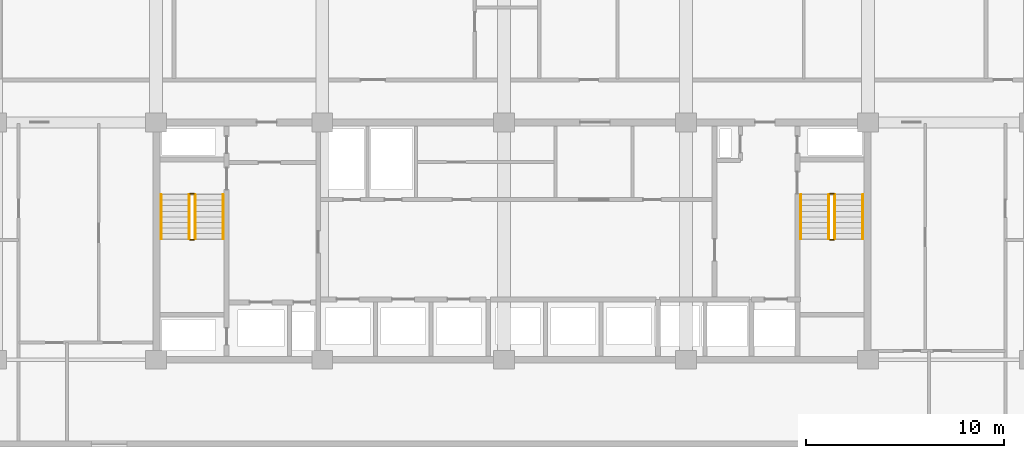
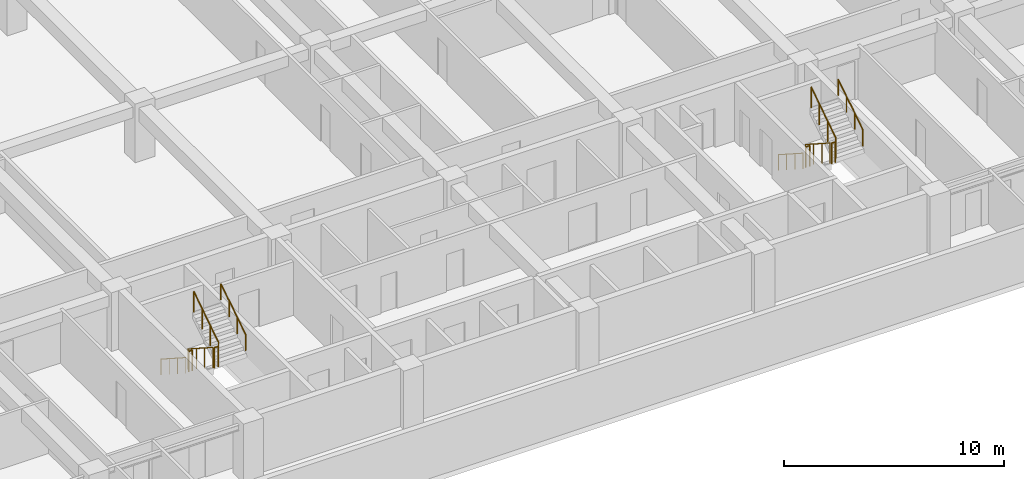
# One storey, part 22 of 23: 12 railings.
"""IFC4 building model written with IfcOpenShell, lengths in metres."""

from ifc_helpers import new_model, si_unit, direction, frame, origin, origin_2d, place, context, subcontext, project, spatial, circle, extrude, material, type_object, element, save


model = new_model("IFC4")

# Units and contexts
model_context = context("Model", 3, precision=1e-05, world=origin(), true_north=direction((0.0, 1.0)))
body_context = subcontext(model_context, "Body", "Model", "MODEL_VIEW")
ifc_project = project(units=[si_unit("LENGTHUNIT", "METRE"), si_unit("AREAUNIT", "SQUARE_METRE"), si_unit("VOLUMEUNIT", "CUBIC_METRE"), si_unit("PLANEANGLEUNIT", "RADIAN"), si_unit("MASSUNIT", "GRAM", prefix="KILO")], contexts=[model_context])

# Site, building, storey
site_placement = place(None, origin())
site = spatial("IfcSite", under=ifc_project, at=site_placement, CompositionType="ELEMENT")
building_placement = place(site_placement, origin())
building = spatial("IfcBuilding", under=site, at=building_placement, Name="Korimba Cascade Residences", CompositionType="ELEMENT")
storey_placement = place(building_placement, frame((0.0, 0.0, 53.25)))
storey = spatial("IfcBuildingStorey", under=building, at=storey_placement, Name="L14", CompositionType="ELEMENT", Elevation=53.25)

# Railings
ifc_material_1 = material(Name="Painted Steel Stairwell Guardrail", Category="steel")
railing_type_1 = type_object("IfcRailingType", Name="RLG-ST-GD1150", PredefinedType="GUARDRAIL", material=ifc_material_1)
railing_1_placement = place(storey_placement, frame((77.77001953125, 63.550048828125, 0.1806640625)))
element("IfcRailing", 1, at=railing_1_placement, inside=storey, type_object=railing_type_1, Name="L14 ST-W1 stair guard 1", PredefinedType="GUARDRAIL", context=body_context, shape_type="SweptSolid", body=[
    extrude(circle(Radius=0.02392578125, at=origin_2d()), frame((0.0, 0.0, 1.1259765625), z_axis=(0.0, -0.840436612492, 0.541909863706), x_axis=(1.0, 0.0, 0.0)), (0.0, 0.0, 1.0), 2.665283203125),
    extrude(circle(Radius=0.02099609375, at=origin_2d()), origin(), (0.0, 0.0, 1.0), 1.101806640625),
    extrude(circle(Radius=0.02099609375, at=origin_2d()), frame((0.0, -0.74658203125, 0.4814453125)), (0.0, 0.0, 1.0), 1.101806640625),
    extrude(circle(Radius=0.02099609375, at=origin_2d()), frame((0.0, -1.493408203125, 0.962890625)), (0.0, 0.0, 1.0), 1.101806640625),
    extrude(circle(Radius=0.02099609375, at=origin_2d()), frame((0.0, -2.239990234375, 1.4443359375)), (0.0, 0.0, 1.0), 1.101806640625),
])
railing_2_placement = place(storey_placement, frame((77.820068359375, 61.260009765625, 1.625)))
element("IfcRailing", 2, at=railing_2_placement, inside=storey, type_object=railing_type_1, Name="L14 ST-W1 stair guard 2", PredefinedType="GUARDRAIL", context=body_context, shape_type="SweptSolid", body=[
    extrude(circle(Radius=0.02392578125, at=origin_2d()), frame((0.0, 0.0, 1.1259765625), z_axis=(1.0, 0.0, 0.0), x_axis=(0.0, 1.0, 0.0)), (0.0, 0.0, 1.0), 0.199951171875),
    extrude(circle(Radius=0.02099609375, at=origin_2d()), origin(), (0.0, 0.0, 1.0), 1.101806640625),
    extrude(circle(Radius=0.02099609375, at=origin_2d()), frame((0.199951171875, 0.0, 0.0)), (0.0, 0.0, 1.0), 1.101806640625),
])
railing_3_placement = place(storey_placement, frame((78.070068359375, 61.31005859375, 1.8056640625)))
element("IfcRailing", 3, at=railing_3_placement, inside=storey, type_object=railing_type_1, Name="L14 ST-W1 stair guard 3", PredefinedType="GUARDRAIL", context=body_context, shape_type="SweptSolid", body=[
    extrude(circle(Radius=0.02392578125, at=origin_2d()), frame((0.0, 0.0, 1.1259765625), z_axis=(0.0, 0.840436612492, 0.541909863706), x_axis=(-1.0, 0.0, 0.0)), (0.0, 0.0, 1.0), 2.665283203125),
    extrude(circle(Radius=0.02099609375, at=origin_2d()), origin(), (0.0, 0.0, 1.0), 1.101806640625),
    extrude(circle(Radius=0.02099609375, at=origin_2d()), frame((0.0, 0.74658203125, 0.4814453125)), (0.0, 0.0, 1.0), 1.101806640625),
    extrude(circle(Radius=0.02099609375, at=origin_2d()), frame((0.0, 1.493408203125, 0.962890625)), (0.0, 0.0, 1.0), 1.101806640625),
    extrude(circle(Radius=0.02099609375, at=origin_2d()), frame((0.0, 2.239990234375, 1.4443359375)), (0.0, 0.0, 1.0), 1.101806640625),
])
railing_4_placement = place(storey_placement, frame((77.820068359375, 63.60009765625, 0.0)))
element("IfcRailing", 4, at=railing_4_placement, inside=storey, type_object=railing_type_1, Name="L14 ST-W1 stair guard 4", PredefinedType="GUARDRAIL", context=body_context, shape_type="SweptSolid", body=[
    extrude(circle(Radius=0.02392578125, at=origin_2d()), frame((0.0, 0.0, 1.1259765625), z_axis=(1.0, 0.0, 0.0), x_axis=(0.0, 1.0, 0.0)), (0.0, 0.0, 1.0), 0.199951171875),
    extrude(circle(Radius=0.02099609375, at=origin_2d()), origin(), (0.0, 0.0, 1.0), 1.101806640625),
    extrude(circle(Radius=0.02099609375, at=origin_2d()), frame((0.199951171875, 0.0, 0.0)), (0.0, 0.0, 1.0), 1.101806640625),
])
railing_5_placement = place(storey_placement, frame((110.1298828125, 63.550048828125, 0.1806640625)))
element("IfcRailing", 5, at=railing_5_placement, inside=storey, type_object=railing_type_1, Name="L14 ST-W2 stair guard 1", PredefinedType="GUARDRAIL", context=body_context, shape_type="SweptSolid", body=[
    extrude(circle(Radius=0.02392578125, at=origin_2d()), frame((0.0, 0.0, 1.1259765625), z_axis=(0.0, -0.840436612492, 0.541909863706), x_axis=(1.0, 0.0, 0.0)), (0.0, 0.0, 1.0), 2.665283203125),
    extrude(circle(Radius=0.02099609375, at=origin_2d()), origin(), (0.0, 0.0, 1.0), 1.101806640625),
    extrude(circle(Radius=0.02099609375, at=origin_2d()), frame((0.0, -0.74658203125, 0.4814453125)), (0.0, 0.0, 1.0), 1.101806640625),
    extrude(circle(Radius=0.02099609375, at=origin_2d()), frame((0.0, -1.493408203125, 0.962890625)), (0.0, 0.0, 1.0), 1.101806640625),
    extrude(circle(Radius=0.02099609375, at=origin_2d()), frame((0.0, -2.239990234375, 1.4443359375)), (0.0, 0.0, 1.0), 1.101806640625),
])
railing_6_placement = place(storey_placement, frame((110.179931640625, 61.260009765625, 1.625)))
element("IfcRailing", 6, at=railing_6_placement, inside=storey, type_object=railing_type_1, Name="L14 ST-W2 stair guard 2", PredefinedType="GUARDRAIL", context=body_context, shape_type="SweptSolid", body=[
    extrude(circle(Radius=0.02392578125, at=origin_2d()), frame((0.0, 0.0, 1.1259765625), z_axis=(1.0, 0.0, 0.0), x_axis=(0.0, 1.0, 0.0)), (0.0, 0.0, 1.0), 0.199951171875),
    extrude(circle(Radius=0.02099609375, at=origin_2d()), origin(), (0.0, 0.0, 1.0), 1.101806640625),
    extrude(circle(Radius=0.02099609375, at=origin_2d()), frame((0.199951171875, 0.0, 0.0)), (0.0, 0.0, 1.0), 1.101806640625),
])
railing_7_placement = place(storey_placement, frame((110.429931640625, 61.31005859375, 1.8056640625)))
element("IfcRailing", 7, at=railing_7_placement, inside=storey, type_object=railing_type_1, Name="L14 ST-W2 stair guard 3", PredefinedType="GUARDRAIL", context=body_context, shape_type="SweptSolid", body=[
    extrude(circle(Radius=0.02392578125, at=origin_2d()), frame((0.0, 0.0, 1.1259765625), z_axis=(0.0, 0.840436612492, 0.541909863706), x_axis=(-1.0, 0.0, 0.0)), (0.0, 0.0, 1.0), 2.665283203125),
    extrude(circle(Radius=0.02099609375, at=origin_2d()), origin(), (0.0, 0.0, 1.0), 1.101806640625),
    extrude(circle(Radius=0.02099609375, at=origin_2d()), frame((0.0, 0.74658203125, 0.4814453125)), (0.0, 0.0, 1.0), 1.101806640625),
    extrude(circle(Radius=0.02099609375, at=origin_2d()), frame((0.0, 1.493408203125, 0.962890625)), (0.0, 0.0, 1.0), 1.101806640625),
    extrude(circle(Radius=0.02099609375, at=origin_2d()), frame((0.0, 2.239990234375, 1.4443359375)), (0.0, 0.0, 1.0), 1.101806640625),
])
railing_8_placement = place(storey_placement, frame((110.179931640625, 63.60009765625, 0.0)))
element("IfcRailing", 8, at=railing_8_placement, inside=storey, type_object=railing_type_1, Name="L14 ST-W2 stair guard 4", PredefinedType="GUARDRAIL", context=body_context, shape_type="SweptSolid", body=[
    extrude(circle(Radius=0.02392578125, at=origin_2d()), frame((0.0, 0.0, 1.1259765625), z_axis=(1.0, 0.0, 0.0), x_axis=(0.0, 1.0, 0.0)), (0.0, 0.0, 1.0), 0.199951171875),
    extrude(circle(Radius=0.02099609375, at=origin_2d()), origin(), (0.0, 0.0, 1.0), 1.101806640625),
    extrude(circle(Radius=0.02099609375, at=origin_2d()), frame((0.199951171875, 0.0, 0.0)), (0.0, 0.0, 1.0), 1.101806640625),
])
ifc_material_2 = material(Name="Brushed Stainless Steel Handrail", Category="steel")
railing_type_2 = type_object("IfcRailingType", Name="RLG-ST-HR900", PredefinedType="HANDRAIL", material=ifc_material_2)
railing_9_placement = place(storey_placement, frame((76.35009765625, 63.550048828125, 0.364990234375)))
element("IfcRailing", 9, at=railing_9_placement, inside=storey, type_object=railing_type_2, Name="L14 ST-W1 stair handrail 1", PredefinedType="HANDRAIL", context=body_context, shape_type="SweptSolid", body=[
    extrude(circle(Radius=0.02392578125, at=origin_2d()), frame((0.0, 0.0, 0.8759765625), z_axis=(0.0, -0.840436612492, 0.541909863706), x_axis=(1.0, 0.0, 0.0)), (0.0, 0.0, 1.0), 2.665283203125),
    extrude(circle(Radius=0.02099609375, at=origin_2d()), origin(), (0.0, 0.0, 1.0), 0.851806640625),
    extrude(circle(Radius=0.02099609375, at=origin_2d()), frame((0.0, -0.74658203125, 0.4814453125)), (0.0, 0.0, 1.0), 0.851806640625),
    extrude(circle(Radius=0.02099609375, at=origin_2d()), frame((0.0, -1.493408203125, 0.962890625)), (0.0, 0.0, 1.0), 0.851806640625),
    extrude(circle(Radius=0.02099609375, at=origin_2d()), frame((0.0, -2.239990234375, 1.4443359375)), (0.0, 0.0, 1.0), 0.851806640625),
])
railing_10_placement = place(storey_placement, frame((79.489990234375, 61.31005859375, 1.989990234375)))
element("IfcRailing", 10, at=railing_10_placement, inside=storey, type_object=railing_type_2, Name="L14 ST-W1 stair handrail 2", PredefinedType="HANDRAIL", context=body_context, shape_type="SweptSolid", body=[
    extrude(circle(Radius=0.02392578125, at=origin_2d()), frame((0.0, 0.0, 0.8759765625), z_axis=(0.0, 0.840436612492, 0.541909863706), x_axis=(-1.0, 0.0, 0.0)), (0.0, 0.0, 1.0), 2.665283203125),
    extrude(circle(Radius=0.02099609375, at=origin_2d()), origin(), (0.0, 0.0, 1.0), 0.851806640625),
    extrude(circle(Radius=0.02099609375, at=origin_2d()), frame((0.0, 0.74658203125, 0.4814453125)), (0.0, 0.0, 1.0), 0.851806640625),
    extrude(circle(Radius=0.02099609375, at=origin_2d()), frame((0.0, 1.493408203125, 0.962890625)), (0.0, 0.0, 1.0), 0.851806640625),
    extrude(circle(Radius=0.02099609375, at=origin_2d()), frame((0.0, 2.239990234375, 1.4443359375)), (0.0, 0.0, 1.0), 0.851806640625),
])
railing_11_placement = place(storey_placement, frame((108.7099609375, 63.550048828125, 0.364990234375)))
element("IfcRailing", 11, at=railing_11_placement, inside=storey, type_object=railing_type_2, Name="L14 ST-W2 stair handrail 1", PredefinedType="HANDRAIL", context=body_context, shape_type="SweptSolid", body=[
    extrude(circle(Radius=0.02392578125, at=origin_2d()), frame((0.0, 0.0, 0.8759765625), z_axis=(0.0, -0.840436612492, 0.541909863706), x_axis=(1.0, 0.0, 0.0)), (0.0, 0.0, 1.0), 2.665283203125),
    extrude(circle(Radius=0.02099609375, at=origin_2d()), origin(), (0.0, 0.0, 1.0), 0.851806640625),
    extrude(circle(Radius=0.02099609375, at=origin_2d()), frame((0.0, -0.74658203125, 0.4814453125)), (0.0, 0.0, 1.0), 0.851806640625),
    extrude(circle(Radius=0.02099609375, at=origin_2d()), frame((0.0, -1.493408203125, 0.962890625)), (0.0, 0.0, 1.0), 0.851806640625),
    extrude(circle(Radius=0.02099609375, at=origin_2d()), frame((0.0, -2.239990234375, 1.4443359375)), (0.0, 0.0, 1.0), 0.851806640625),
])
railing_12_placement = place(storey_placement, frame((111.85009765625, 61.31005859375, 1.989990234375)))
element("IfcRailing", 12, at=railing_12_placement, inside=storey, type_object=railing_type_2, Name="L14 ST-W2 stair handrail 2", PredefinedType="HANDRAIL", context=body_context, shape_type="SweptSolid", body=[
    extrude(circle(Radius=0.02392578125, at=origin_2d()), frame((0.0, 0.0, 0.8759765625), z_axis=(0.0, 0.840436612492, 0.541909863706), x_axis=(-1.0, 0.0, 0.0)), (0.0, 0.0, 1.0), 2.665283203125),
    extrude(circle(Radius=0.02099609375, at=origin_2d()), origin(), (0.0, 0.0, 1.0), 0.851806640625),
    extrude(circle(Radius=0.02099609375, at=origin_2d()), frame((0.0, 0.74658203125, 0.4814453125)), (0.0, 0.0, 1.0), 0.851806640625),
    extrude(circle(Radius=0.02099609375, at=origin_2d()), frame((0.0, 1.493408203125, 0.962890625)), (0.0, 0.0, 1.0), 0.851806640625),
    extrude(circle(Radius=0.02099609375, at=origin_2d()), frame((0.0, 2.239990234375, 1.4443359375)), (0.0, 0.0, 1.0), 0.851806640625),
])

save(model, "model.ifc")
